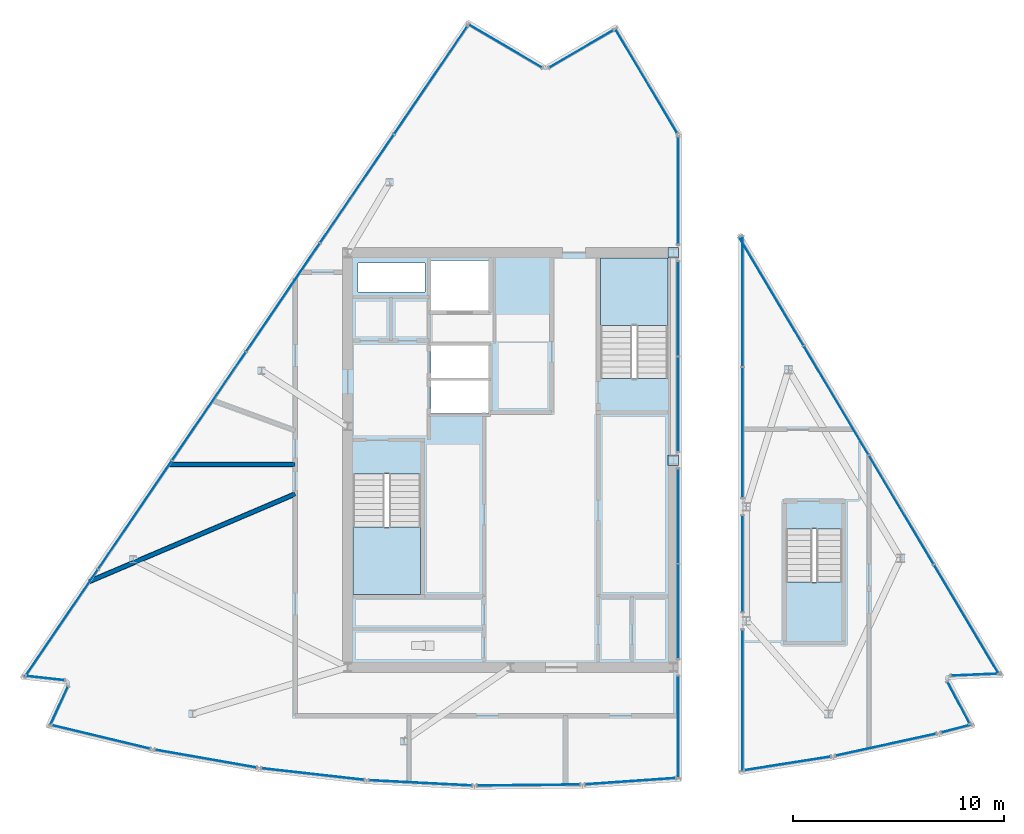
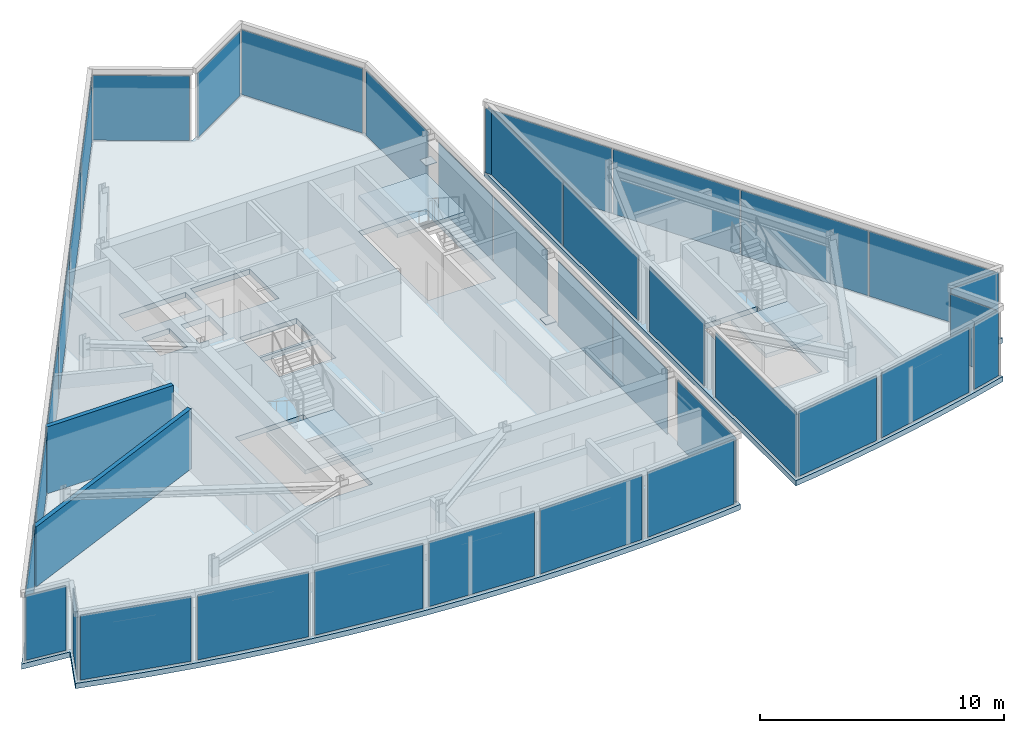
# One storey, part 8 of 15: 38 plates, 5 slabs, 2 walls, 28 elements without a shape of their own.
"""IFC4 building model written with IfcOpenShell, lengths in metres."""

from ifc_helpers import new_model, si_unit, direction, frame, frame_2d, origin, origin_2d, place, context, subcontext, project, spatial, polyline, rectangle, outline, extrude, material, layer, layer_set, type_object, element, aggregate, save


model = new_model("IFC4")

# Units and contexts
model_context = context("Model", 3, precision=1e-05, world=origin(), true_north=direction((0.0, 1.0)))
body_context = subcontext(model_context, "Body", "Model", "MODEL_VIEW")
ifc_project = project(units=[si_unit("LENGTHUNIT", "METRE"), si_unit("AREAUNIT", "SQUARE_METRE"), si_unit("VOLUMEUNIT", "CUBIC_METRE"), si_unit("PLANEANGLEUNIT", "RADIAN"), si_unit("MASSUNIT", "GRAM", prefix="KILO")], contexts=[model_context])

# Site, building, storey
site_placement = place(None, origin())
site = spatial("IfcSite", under=ifc_project, at=site_placement, CompositionType="ELEMENT")
building_placement = place(site_placement, origin())
building = spatial("IfcBuilding", under=site, at=building_placement, Name="Savorim Split Tower", CompositionType="ELEMENT")
storey_placement = place(building_placement, frame((0.0, 0.0, 304.800048828125)))
storey = spatial("IfcBuildingStorey", under=building, at=storey_placement, Name="Crown L81 Plant", CompositionType="ELEMENT", Elevation=304.800048828125)

# Curtain wall, plate
ifc_material_1 = material(Name="Dark Ceramic-Fritted Insulated Glass", Category="glass")
curtain_wall_type = type_object("IfcCurtainWallType", Name="CW-CROWN-CREST", PredefinedType="NOTDEFINED", material=ifc_material_1)
curtain_wall_1_placement = place(storey_placement, origin())
curtain_wall_1 = element("IfcCurtainWall", 1, at=curtain_wall_1_placement, inside=storey, type_object=curtain_wall_type, Name="Crown L81 Plant Curtain Wall CW-Crown-L81-Plant-W1AS1", PredefinedType="NOTDEFINED")
ifc_layer_1 = layer(ifc_material_1, 0.02587890625)
ifc_layer_set_1 = layer_set([ifc_layer_1], Name="CWP-FRITB-26")
plate_type_1 = type_object("IfcPlateType", Name="CWP-FRITB-26", PredefinedType="CURTAIN_PANEL", material=ifc_layer_set_1)
plate_1_placement = place(storey_placement, frame((7.929931640625, -12.2109375, 0.0498046875), z_axis=(0.0, 0.0, 1.0), x_axis=(0.0, 1.0, 0.0)))
plate_1 = element("IfcPlate", 2, at=plate_1_placement, type_object=plate_type_1, Name="CW-07 panel 1.1", PredefinedType="CURTAIN_PANEL", context=body_context, shape_type="SweptSolid", body=[
    extrude(rectangle(XDim=4.769775390625, YDim=0.02587890625, at=origin_2d()), origin(), (0.0, 0.0, 1.0), 3.239990234375),
])
aggregate(curtain_wall_1, [plate_1])

# Curtain wall, plates
curtain_wall_2_placement = place(storey_placement, origin())
curtain_wall_2 = element("IfcCurtainWall", 3, at=curtain_wall_2_placement, inside=storey, type_object=curtain_wall_type, Name="Crown L81 Plant Curtain Wall CW-Crown-L81-Plant-W1AS2", PredefinedType="NOTDEFINED")
plate_2_placement = place(storey_placement, frame((7.929931640625, -6.751953125, 0.0498046875), z_axis=(0.0, 0.0, 1.0), x_axis=(0.0, 1.0, 0.0)))
plate_2 = element("IfcPlate", 4, at=plate_2_placement, type_object=plate_type_1, Name="CW-07 panel 1.1", PredefinedType="CURTAIN_PANEL", context=body_context, shape_type="SweptSolid", body=[
    extrude(rectangle(XDim=4.444091796875, YDim=0.02587890625, at=origin_2d()), origin(), (0.0, 0.0, 1.0), 3.239990234375),
])
plate_3_placement = place(storey_placement, frame((7.929931640625, -2.248046875, 0.0498046875), z_axis=(0.0, 0.0, 1.0), x_axis=(0.0, 1.0, 0.0)))
plate_3 = element("IfcPlate", 5, at=plate_3_placement, type_object=plate_type_1, Name="CW-07 panel 2.1", PredefinedType="CURTAIN_PANEL", context=body_context, shape_type="SweptSolid", body=[
    extrude(rectangle(XDim=4.444091796875, YDim=0.02587890625, at=origin_2d()), origin(), (0.0, 0.0, 1.0), 3.239990234375),
])
aggregate(curtain_wall_2, [plate_2, plate_3])

curtain_wall_3_placement = place(storey_placement, origin())
curtain_wall_3 = element("IfcCurtainWall", 6, at=curtain_wall_3_placement, inside=storey, type_object=curtain_wall_type, Name="Crown L81 Plant Curtain Wall CW-Crown-L81-Plant-W1AS3", PredefinedType="NOTDEFINED")
plate_4_placement = place(storey_placement, frame((7.929931640625, 3.048095703125, 0.0498046875), z_axis=(0.0, 0.0, 1.0), x_axis=(0.0, 1.0, 0.0)))
plate_4 = element("IfcPlate", 7, at=plate_4_placement, type_object=plate_type_1, Name="CW-07 panel 1.1", PredefinedType="CURTAIN_PANEL", context=body_context, shape_type="SweptSolid", body=[
    extrude(rectangle(XDim=4.444091796875, YDim=0.02587890625, at=origin_2d()), origin(), (0.0, 0.0, 1.0), 3.239990234375),
])
plate_5_placement = place(storey_placement, frame((7.929931640625, 7.552001953125, 0.0498046875), z_axis=(0.0, 0.0, 1.0), x_axis=(0.0, 1.0, 0.0)))
plate_5 = element("IfcPlate", 8, at=plate_5_placement, type_object=plate_type_1, Name="CW-07 panel 2.1", PredefinedType="CURTAIN_PANEL", context=body_context, shape_type="SweptSolid", body=[
    extrude(rectangle(XDim=4.444091796875, YDim=0.02587890625, at=origin_2d()), origin(), (0.0, 0.0, 1.0), 3.239990234375),
])
aggregate(curtain_wall_3, [plate_4, plate_5])

# Curtain wall, plate
curtain_wall_4_placement = place(storey_placement, origin())
curtain_wall_4 = element("IfcCurtainWall", 9, at=curtain_wall_4_placement, inside=storey, type_object=curtain_wall_type, Name="Crown L81 Plant Curtain Wall CW-Crown-L81-Plant-W1AS4", PredefinedType="NOTDEFINED")
plate_6_placement = place(storey_placement, frame((7.929931640625, 13.149169921875, 0.0498046875), z_axis=(0.0, 0.0, 1.0), x_axis=(0.0, 1.0, 0.0)))
plate_6 = element("IfcPlate", 10, at=plate_6_placement, type_object=plate_type_1, Name="CW-07 panel 1.1", PredefinedType="CURTAIN_PANEL", context=body_context, shape_type="SweptSolid", body=[
    extrude(rectangle(XDim=5.04638671875, YDim=0.02587890625, at=origin_2d()), origin(), (0.0, 0.0, 1.0), 3.239990234375),
])
aggregate(curtain_wall_4, [plate_6])

curtain_wall_5_placement = place(storey_placement, origin())
curtain_wall_5 = element("IfcCurtainWall", 11, at=curtain_wall_5_placement, inside=storey, type_object=curtain_wall_type, Name="Crown L81 Plant Curtain Wall CW-Crown-L81-Plant-W2A", PredefinedType="NOTDEFINED")
plate_7_placement = place(storey_placement, frame((6.420654296875, 18.317626953125, 0.0498046875), z_axis=(0.0, 0.0, 1.0), x_axis=(-0.511101159712, 0.859520566677, 0.0)))
plate_7 = element("IfcPlate", 12, at=plate_7_placement, type_object=plate_type_1, Name="CW-07 panel 1.1", PredefinedType="CURTAIN_PANEL", context=body_context, shape_type="SweptSolid", body=[
    extrude(rectangle(XDim=5.69189453125, YDim=0.02587890625, at=origin_2d()), origin(), (0.0, 0.0, 1.0), 3.239990234375),
])
aggregate(curtain_wall_5, [plate_7])

curtain_wall_6_placement = place(storey_placement, origin())
curtain_wall_6 = element("IfcCurtainWall", 13, at=curtain_wall_6_placement, inside=storey, type_object=curtain_wall_type, Name="Crown L81 Plant Curtain Wall CW-Crown-L81-Plant-W3A", PredefinedType="NOTDEFINED")
plate_8_placement = place(storey_placement, frame((3.34375, 19.842529296875, 0.0498046875), z_axis=(0.0, 0.0, 1.0), x_axis=(-0.863989475083, -0.503509867774, 0.0)))
plate_8 = element("IfcPlate", 14, at=plate_8_placement, type_object=plate_type_1, Name="CW-07 panel 1.1", PredefinedType="CURTAIN_PANEL", context=body_context, shape_type="SweptSolid", body=[
    extrude(rectangle(XDim=3.478515625, YDim=0.02587890625, at=origin_2d()), origin(), (0.0, 0.0, 1.0), 3.239990234375),
])
aggregate(curtain_wall_6, [plate_8])

curtain_wall_7_placement = place(storey_placement, origin())
curtain_wall_7 = element("IfcCurtainWall", 15, at=curtain_wall_7_placement, inside=storey, type_object=curtain_wall_type, Name="Crown L81 Plant Curtain Wall CW-Crown-L81-Plant-W4A", PredefinedType="NOTDEFINED")
plate_9_placement = place(storey_placement, frame((-0.23779296875, 19.97607421875, 0.0498046875), z_axis=(0.0, 0.0, 1.0), x_axis=(-0.862126599105, 0.50669293178, 0.0)))
plate_9 = element("IfcPlate", 16, at=plate_9_placement, type_object=plate_type_1, Name="CW-07 panel 1.1", PredefinedType="CURTAIN_PANEL", context=body_context, shape_type="SweptSolid", body=[
    extrude(rectangle(XDim=3.98095703125, YDim=0.02587890625, at=origin_2d()), origin(), (0.0, 0.0, 1.0), 3.239990234375),
])
aggregate(curtain_wall_7, [plate_9])

# Curtain wall, plates
curtain_wall_8_placement = place(storey_placement, origin())
curtain_wall_8 = element("IfcCurtainWall", 17, at=curtain_wall_8_placement, inside=storey, type_object=curtain_wall_type, Name="Crown L81 Plant Curtain Wall CW-Crown-L81-Plant-W5A", PredefinedType="NOTDEFINED")
plate_10_placement = place(storey_placement, frame((-3.775146484375, 18.3564453125, 0.0498046875), z_axis=(0.0, 0.0, 1.0), x_axis=(-0.562467100457, -0.826819666495, 0.0)))
plate_10 = element("IfcPlate", 18, at=plate_10_placement, type_object=plate_type_1, Name="CW-07 panel 1.1", PredefinedType="CURTAIN_PANEL", context=body_context, shape_type="SweptSolid", body=[
    extrude(rectangle(XDim=6.1259765625, YDim=0.02587890625, at=origin_2d()), origin(), (0.0, 0.0, 1.0), 3.239990234375),
])
plate_11_placement = place(storey_placement, frame((-7.26318359375, 13.229248046875, 0.0498046875), z_axis=(0.0, 0.0, 1.0), x_axis=(-0.562467100457, -0.826819666495, 0.0)))
plate_11 = element("IfcPlate", 19, at=plate_11_placement, type_object=plate_type_1, Name="CW-07 panel 2.1", PredefinedType="CURTAIN_PANEL", context=body_context, shape_type="SweptSolid", body=[
    extrude(rectangle(XDim=6.156005859375, YDim=0.02587890625, at=origin_2d()), origin(), (0.0, 0.0, 1.0), 3.239990234375),
])
plate_12_placement = place(storey_placement, frame((-10.759521484375, 8.08984375, 0.0498046875), z_axis=(0.0, 0.0, 1.0), x_axis=(-0.562467100457, -0.826819666495, 0.0)))
plate_12 = element("IfcPlate", 20, at=plate_12_placement, type_object=plate_type_1, Name="CW-07 panel 3.1", PredefinedType="CURTAIN_PANEL", context=body_context, shape_type="SweptSolid", body=[
    extrude(rectangle(XDim=6.156005859375, YDim=0.02587890625, at=origin_2d()), origin(), (0.0, 0.0, 1.0), 3.239990234375),
])
plate_13_placement = place(storey_placement, frame((-14.255859375, 2.9501953125, 0.0498046875), z_axis=(0.0, 0.0, 1.0), x_axis=(-0.562467100457, -0.826819666495, 0.0)))
plate_13 = element("IfcPlate", 21, at=plate_13_placement, type_object=plate_type_1, Name="CW-07 panel 4.1", PredefinedType="CURTAIN_PANEL", context=body_context, shape_type="SweptSolid", body=[
    extrude(rectangle(XDim=6.156005859375, YDim=0.02587890625, at=origin_2d()), origin(), (0.0, 0.0, 1.0), 3.239990234375),
])
plate_14_placement = place(storey_placement, frame((-17.752197265625, -2.189453125, 0.0498046875), z_axis=(0.0, 0.0, 1.0), x_axis=(-0.562467100457, -0.826819666495, 0.0)))
plate_14 = element("IfcPlate", 22, at=plate_14_placement, type_object=plate_type_1, Name="CW-07 panel 5.1", PredefinedType="CURTAIN_PANEL", context=body_context, shape_type="SweptSolid", body=[
    extrude(rectangle(XDim=6.156005859375, YDim=0.02587890625, at=origin_2d()), origin(), (0.0, 0.0, 1.0), 3.239990234375),
])
plate_15_placement = place(storey_placement, frame((-21.239990234375, -7.31640625, 0.0498046875), z_axis=(0.0, 0.0, 1.0), x_axis=(-0.562467100457, -0.826819666495, 0.0)))
plate_15 = element("IfcPlate", 23, at=plate_15_placement, type_object=plate_type_1, Name="CW-07 panel 6.1", PredefinedType="CURTAIN_PANEL", context=body_context, shape_type="SweptSolid", body=[
    extrude(rectangle(XDim=6.1259765625, YDim=0.02587890625, at=origin_2d()), origin(), (0.0, 0.0, 1.0), 3.239990234375),
])
aggregate(curtain_wall_8, [plate_10, plate_11, plate_12, plate_13, plate_14, plate_15])

# Curtain wall, plate
curtain_wall_9_placement = place(storey_placement, origin())
curtain_wall_9 = element("IfcCurtainWall", 24, at=curtain_wall_9_placement, inside=storey, type_object=curtain_wall_type, Name="Crown L81 Plant Curtain Wall CW-Crown-L81-Plant-W6A", PredefinedType="NOTDEFINED")
plate_16_placement = place(storey_placement, frame((-21.994873046875, -9.904541015625, 0.0498046875), z_axis=(0.0, 0.0, 1.0), x_axis=(0.993822263981, -0.110983366393, 0.0)))
plate_16 = element("IfcPlate", 25, at=plate_16_placement, type_object=plate_type_1, Name="CW-07 panel 1.1", PredefinedType="CURTAIN_PANEL", context=body_context, shape_type="SweptSolid", body=[
    extrude(rectangle(XDim=1.789306640625, YDim=0.02587890625, at=origin_2d()), origin(), (0.0, 0.0, 1.0), 3.239990234375),
])
aggregate(curtain_wall_9, [plate_16])

curtain_wall_10_placement = place(storey_placement, origin())
curtain_wall_10 = element("IfcCurtainWall", 26, at=curtain_wall_10_placement, inside=storey, type_object=curtain_wall_type, Name="Crown L81 Plant Curtain Wall CW-Crown-L81-Plant-W7A", PredefinedType="NOTDEFINED")
plate_17_placement = place(storey_placement, frame((-21.34326171875, -11.217041015625, 0.0498046875), z_axis=(0.0, 0.0, 1.0), x_axis=(-0.417492744415, -0.908680256395, 0.0)))
plate_17 = element("IfcPlate", 27, at=plate_17_placement, type_object=plate_type_1, Name="CW-07 panel 1.1", PredefinedType="CURTAIN_PANEL", context=body_context, shape_type="SweptSolid", body=[
    extrude(rectangle(XDim=1.983154296875, YDim=0.02587890625, at=origin_2d()), origin(), (0.0, 0.0, 1.0), 3.239990234375),
])
aggregate(curtain_wall_10, [plate_17])

curtain_wall_11_placement = place(storey_placement, origin())
curtain_wall_11 = element("IfcCurtainWall", 28, at=curtain_wall_11_placement, inside=storey, type_object=curtain_wall_type, Name="Crown L81 Plant Curtain Wall CW-Crown-L81-Plant-W8A", PredefinedType="NOTDEFINED")
plate_18_placement = place(storey_placement, frame((-19.35693359375, -12.6875, 0.0498046875), z_axis=(0.0, 0.0, 1.0), x_axis=(0.972435155463, -0.233173472806, 0.0)))
plate_18 = element("IfcPlate", 29, at=plate_18_placement, type_object=plate_type_1, Name="CW-07 panel 1.1", PredefinedType="CURTAIN_PANEL", context=body_context, shape_type="SweptSolid", body=[
    extrude(rectangle(XDim=4.73388671875, YDim=0.02587890625, at=origin_2d()), origin(), (0.0, 0.0, 1.0), 3.239990234375),
])
aggregate(curtain_wall_11, [plate_18])

curtain_wall_12_placement = place(storey_placement, origin())
curtain_wall_12 = element("IfcCurtainWall", 30, at=curtain_wall_12_placement, inside=storey, type_object=curtain_wall_type, Name="Crown L81 Plant Curtain Wall CW-Crown-L81-Plant-W9A", PredefinedType="NOTDEFINED")
plate_19_placement = place(storey_placement, frame((-14.4052734375, -13.713623046875, 0.0498046875), z_axis=(0.0, 0.0, 1.0), x_axis=(0.984910986267, -0.17306169169, 0.0)))
plate_19 = element("IfcPlate", 31, at=plate_19_placement, type_object=plate_type_1, Name="CW-07 panel 1.1", PredefinedType="CURTAIN_PANEL", context=body_context, shape_type="SweptSolid", body=[
    extrude(rectangle(XDim=4.8388671875, YDim=0.02587890625, at=origin_2d()), origin(), (0.0, 0.0, 1.0), 3.239990234375),
])
aggregate(curtain_wall_12, [plate_19])

curtain_wall_13_placement = place(storey_placement, origin())
curtain_wall_13 = element("IfcCurtainWall", 32, at=curtain_wall_13_placement, inside=storey, type_object=curtain_wall_type, Name="Crown L81 Plant Curtain Wall CW-Crown-L81-Plant-W10A", PredefinedType="NOTDEFINED")
plate_20_placement = place(storey_placement, frame((-9.348388671875, -14.44287109375, 0.0498046875), z_axis=(0.0, 0.0, 1.0), x_axis=(0.993671921746, -0.11232146693, 0.0)))
plate_20 = element("IfcPlate", 33, at=plate_20_placement, type_object=plate_type_1, Name="CW-07 panel 1.1", PredefinedType="CURTAIN_PANEL", context=body_context, shape_type="SweptSolid", body=[
    extrude(rectangle(XDim=4.8388671875, YDim=0.02587890625, at=origin_2d()), origin(), (0.0, 0.0, 1.0), 3.239990234375),
])
aggregate(curtain_wall_13, [plate_20])

curtain_wall_14_placement = place(storey_placement, origin())
curtain_wall_14 = element("IfcCurtainWall", 34, at=curtain_wall_14_placement, inside=storey, type_object=curtain_wall_type, Name="Crown L81 Plant Curtain Wall CW-Crown-L81-Plant-W11A", PredefinedType="NOTDEFINED")
plate_21_placement = place(storey_placement, frame((-4.256591796875, -14.860595703125, 0.0498046875), z_axis=(0.0, 0.0, 1.0), x_axis=(0.998691469078, -0.051140488768, 0.0)))
plate_21 = element("IfcPlate", 35, at=plate_21_placement, type_object=plate_type_1, Name="CW-07 panel 1.1", PredefinedType="CURTAIN_PANEL", context=body_context, shape_type="SweptSolid", body=[
    extrude(rectangle(XDim=4.8388671875, YDim=0.02587890625, at=origin_2d()), origin(), (0.0, 0.0, 1.0), 3.239990234375),
])
aggregate(curtain_wall_14, [plate_21])

curtain_wall_15_placement = place(storey_placement, origin())
curtain_wall_15 = element("IfcCurtainWall", 36, at=curtain_wall_15_placement, inside=storey, type_object=curtain_wall_type, Name="Crown L81 Plant Curtain Wall CW-Crown-L81-Plant-W12A", PredefinedType="NOTDEFINED")
plate_22_placement = place(storey_placement, frame((0.8515625, -14.965087890625, 0.0498046875), z_axis=(0.0, 0.0, 1.0), x_axis=(0.999947734368, 0.010223919602, 0.0)))
plate_22 = element("IfcPlate", 37, at=plate_22_placement, type_object=plate_type_1, Name="CW-07 panel 1.1", PredefinedType="CURTAIN_PANEL", context=body_context, shape_type="SweptSolid", body=[
    extrude(rectangle(XDim=4.8388671875, YDim=0.02587890625, at=origin_2d()), origin(), (0.0, 0.0, 1.0), 3.239990234375),
])
aggregate(curtain_wall_15, [plate_22])

curtain_wall_16_placement = place(storey_placement, origin())
curtain_wall_16 = element("IfcCurtainWall", 38, at=curtain_wall_16_placement, inside=storey, type_object=curtain_wall_type, Name="Crown L81 Plant Curtain Wall CW-Crown-L81-Plant-W13A", PredefinedType="NOTDEFINED")
plate_23_placement = place(storey_placement, frame((5.67041015625, -14.78125, 0.0498046875), z_axis=(0.0, 0.0, 1.0), x_axis=(0.997581872722, 0.069501131045, 0.0)))
plate_23 = element("IfcPlate", 39, at=plate_23_placement, type_object=plate_type_1, Name="CW-07 panel 1.1", PredefinedType="CURTAIN_PANEL", context=body_context, shape_type="SweptSolid", body=[
    extrude(rectangle(XDim=4.26416015625, YDim=0.02587890625, at=origin_2d()), origin(), (0.0, 0.0, 1.0), 3.239990234375),
])
aggregate(curtain_wall_16, [plate_23])

# Curtain wall, plates
curtain_wall_17_placement = place(storey_placement, origin())
curtain_wall_17 = element("IfcCurtainWall", 40, at=curtain_wall_17_placement, inside=storey, type_object=curtain_wall_type, Name="Crown L81 Plant Curtain Wall CW-Crown-L81-Plant-E1AS1", PredefinedType="NOTDEFINED")
plate_24_placement = place(storey_placement, frame((10.969970703125, 7.897705078125, 0.0498046875), z_axis=(0.0, 0.0, 1.0), x_axis=(0.0, -1.0, 0.0)))
plate_24 = element("IfcPlate", 41, at=plate_24_placement, type_object=plate_type_1, Name="CW-07 panel 1.1", PredefinedType="CURTAIN_PANEL", context=body_context, shape_type="SweptSolid", body=[
    extrude(rectangle(XDim=6.1318359375, YDim=0.02587890625, at=origin_2d()), origin(), (0.0, 0.0, 1.0), 3.239990234375),
])
plate_25_placement = place(storey_placement, frame((10.969970703125, 1.705810546875, 0.0498046875), z_axis=(0.0, 0.0, 1.0), x_axis=(0.0, -1.0, 0.0)))
plate_25 = element("IfcPlate", 42, at=plate_25_placement, type_object=plate_type_1, Name="CW-07 panel 2.1", PredefinedType="CURTAIN_PANEL", context=body_context, shape_type="SweptSolid", body=[
    extrude(rectangle(XDim=6.1318359375, YDim=0.02587890625, at=origin_2d()), origin(), (0.0, 0.0, 1.0), 3.239990234375),
])
aggregate(curtain_wall_17, [plate_24, plate_25])

# Curtain wall, plate
curtain_wall_18_placement = place(storey_placement, origin())
curtain_wall_18 = element("IfcCurtainWall", 43, at=curtain_wall_18_placement, inside=storey, type_object=curtain_wall_type, Name="Crown L81 Plant Curtain Wall CW-Crown-L81-Plant-E1AS2", PredefinedType="NOTDEFINED")
plate_26_placement = place(storey_placement, frame((10.969970703125, -4.5, 0.0498046875), z_axis=(0.0, 0.0, 1.0), x_axis=(0.0, -1.0, 0.0)))
plate_26 = element("IfcPlate", 44, at=plate_26_placement, type_object=plate_type_1, Name="CW-07 panel 1.1", PredefinedType="CURTAIN_PANEL", context=body_context, shape_type="SweptSolid", body=[
    extrude(rectangle(XDim=4.52001953125, YDim=0.02587890625, at=origin_2d()), origin(), (0.0, 0.0, 1.0), 3.239990234375),
])
aggregate(curtain_wall_18, [plate_26])

curtain_wall_19_placement = place(storey_placement, origin())
curtain_wall_19 = element("IfcCurtainWall", 45, at=curtain_wall_19_placement, inside=storey, type_object=curtain_wall_type, Name="Crown L81 Plant Curtain Wall CW-Crown-L81-Plant-E1AS3", PredefinedType="NOTDEFINED")
plate_27_placement = place(storey_placement, frame((10.969970703125, -10.9580078125, 0.0498046875), z_axis=(0.0, 0.0, 1.0), x_axis=(0.0, -1.0, 0.0)))
plate_27 = element("IfcPlate", 46, at=plate_27_placement, type_object=plate_type_1, Name="CW-07 panel 1.1", PredefinedType="CURTAIN_PANEL", context=body_context, shape_type="SweptSolid", body=[
    extrude(rectangle(XDim=6.635986328125, YDim=0.02587890625, at=origin_2d()), origin(), (0.0, 0.0, 1.0), 3.239990234375),
])
aggregate(curtain_wall_19, [plate_27])

curtain_wall_20_placement = place(storey_placement, origin())
curtain_wall_20 = element("IfcCurtainWall", 47, at=curtain_wall_20_placement, inside=storey, type_object=curtain_wall_type, Name="Crown L81 Plant Curtain Wall CW-Crown-L81-Plant-E2A", PredefinedType="NOTDEFINED")
plate_28_placement = place(storey_placement, frame((13.094482421875, -13.9404296875, 0.0498046875), z_axis=(0.0, 0.0, 1.0), x_axis=(0.987791052808, 0.155784582013, 0.0)))
plate_28 = element("IfcPlate", 48, at=plate_28_placement, type_object=plate_type_1, Name="CW-07 panel 1.1", PredefinedType="CURTAIN_PANEL", context=body_context, shape_type="SweptSolid", body=[
    extrude(rectangle(XDim=4.09228515625, YDim=0.02587890625, at=origin_2d()), origin(), (0.0, 0.0, 1.0), 3.239990234375),
])
aggregate(curtain_wall_20, [plate_28])

curtain_wall_21_placement = place(storey_placement, origin())
curtain_wall_21 = element("IfcCurtainWall", 49, at=curtain_wall_21_placement, inside=storey, type_object=curtain_wall_type, Name="Crown L81 Plant Curtain Wall CW-Crown-L81-Plant-E3A", PredefinedType="NOTDEFINED")
plate_29_placement = place(storey_placement, frame((17.74755859375, -13.055419921875, 0.0498046875), z_axis=(0.0, 0.0, 1.0), x_axis=(0.977006979242, 0.213207322841, 0.0)))
plate_29 = element("IfcPlate", 50, at=plate_29_placement, type_object=plate_type_1, Name="CW-07 panel 1.1", PredefinedType="CURTAIN_PANEL", context=body_context, shape_type="SweptSolid", body=[
    extrude(rectangle(XDim=4.839111328125, YDim=0.02587890625, at=origin_2d()), origin(), (0.0, 0.0, 1.0), 3.239990234375),
])
aggregate(curtain_wall_21, [plate_29])

curtain_wall_22_placement = place(storey_placement, origin())
curtain_wall_22 = element("IfcCurtainWall", 51, at=curtain_wall_22_placement, inside=storey, type_object=curtain_wall_type, Name="Crown L81 Plant Curtain Wall CW-Crown-L81-Plant-E4A", PredefinedType="NOTDEFINED")
plate_30_placement = place(storey_placement, frame((21.06884765625, -12.294921875, 0.0498046875), z_axis=(0.0, 0.0, 1.0), x_axis=(0.967445384486, 0.253079884693, 0.0)))
plate_30 = element("IfcPlate", 52, at=plate_30_placement, type_object=plate_type_1, Name="CW-07 panel 1.1", PredefinedType="CURTAIN_PANEL", context=body_context, shape_type="SweptSolid", body=[
    extrude(rectangle(XDim=1.426513671875, YDim=0.02587890625, at=origin_2d()), origin(), (0.0, 0.0, 1.0), 3.239990234375),
])
aggregate(curtain_wall_22, [plate_30])

curtain_wall_23_placement = place(storey_placement, origin())
curtain_wall_23 = element("IfcCurtainWall", 53, at=curtain_wall_23_placement, inside=storey, type_object=curtain_wall_type, Name="Crown L81 Plant Curtain Wall CW-Crown-L81-Plant-E5A", PredefinedType="NOTDEFINED")
plate_31_placement = place(storey_placement, frame((21.182861328125, -11.066162109375, 0.0498046875), z_axis=(0.0, 0.0, 1.0), x_axis=(-0.472807098847, 0.881165958988, 0.0)))
plate_31 = element("IfcPlate", 54, at=plate_31_placement, type_object=plate_type_1, Name="CW-07 panel 1.1", PredefinedType="CURTAIN_PANEL", context=body_context, shape_type="SweptSolid", body=[
    extrude(rectangle(XDim=2.201171875, YDim=0.02587890625, at=origin_2d()), origin(), (0.0, 0.0, 1.0), 3.239990234375),
])
aggregate(curtain_wall_23, [plate_31])

curtain_wall_24_placement = place(storey_placement, origin())
curtain_wall_24 = element("IfcCurtainWall", 55, at=curtain_wall_24_placement, inside=storey, type_object=curtain_wall_type, Name="Crown L81 Plant Curtain Wall CW-Crown-L81-Plant-E6A", PredefinedType="NOTDEFINED")
plate_32_placement = place(storey_placement, frame((21.98779296875, -9.741455078125, 0.0498046875), z_axis=(0.0, 0.0, 1.0), x_axis=(0.99909505756, 0.042533116038, 0.0)))
plate_32 = element("IfcPlate", 56, at=plate_32_placement, type_object=plate_type_1, Name="CW-07 panel 1.1", PredefinedType="CURTAIN_PANEL", context=body_context, shape_type="SweptSolid", body=[
    extrude(rectangle(XDim=2.303955078125, YDim=0.02587890625, at=origin_2d()), origin(), (0.0, 0.0, 1.0), 3.239990234375),
])
aggregate(curtain_wall_24, [plate_32])

# Curtain wall, plates
curtain_wall_25_placement = place(storey_placement, origin())
curtain_wall_25 = element("IfcCurtainWall", 57, at=curtain_wall_25_placement, inside=storey, type_object=curtain_wall_type, Name="Crown L81 Plant Curtain Wall CW-Crown-L81-Plant-E7A", PredefinedType="NOTDEFINED")
plate_33_placement = place(storey_placement, frame((21.541015625, -7.110595703125, 0.0498046875), z_axis=(0.0, 0.0, 1.0), x_axis=(-0.511094312728, 0.859524638098, 0.0)))
plate_33 = element("IfcPlate", 58, at=plate_33_placement, type_object=plate_type_1, Name="CW-07 panel 1.1", PredefinedType="CURTAIN_PANEL", context=body_context, shape_type="SweptSolid", body=[
    extrude(rectangle(XDim=5.925537109375, YDim=0.02587890625, at=origin_2d()), origin(), (0.0, 0.0, 1.0), 3.239990234375),
])
plate_34_placement = place(storey_placement, frame((18.47412109375, -1.952880859375, 0.0498046875), z_axis=(0.0, 0.0, 1.0), x_axis=(-0.511094312728, 0.859524638098, 0.0)))
plate_34 = element("IfcPlate", 59, at=plate_34_placement, type_object=plate_type_1, Name="CW-07 panel 2.1", PredefinedType="CURTAIN_PANEL", context=body_context, shape_type="SweptSolid", body=[
    extrude(rectangle(XDim=5.95556640625, YDim=0.02587890625, at=origin_2d()), origin(), (0.0, 0.0, 1.0), 3.239990234375),
])
plate_35_placement = place(storey_placement, frame((15.3994140625, 3.217529296875, 0.0498046875), z_axis=(0.0, 0.0, 1.0), x_axis=(-0.511094312728, 0.859524638098, 0.0)))
plate_35 = element("IfcPlate", 60, at=plate_35_placement, type_object=plate_type_1, Name="CW-07 panel 3.1", PredefinedType="CURTAIN_PANEL", context=body_context, shape_type="SweptSolid", body=[
    extrude(rectangle(XDim=5.95556640625, YDim=0.02587890625, at=origin_2d()), origin(), (0.0, 0.0, 1.0), 3.239990234375),
])
plate_36_placement = place(storey_placement, frame((12.33251953125, 8.375244140625, 0.0498046875), z_axis=(0.0, 0.0, 1.0), x_axis=(-0.511094312728, 0.859524638098, 0.0)))
plate_36 = element("IfcPlate", 61, at=plate_36_placement, type_object=plate_type_1, Name="CW-07 panel 4.1", PredefinedType="CURTAIN_PANEL", context=body_context, shape_type="SweptSolid", body=[
    extrude(rectangle(XDim=5.925537109375, YDim=0.02587890625, at=origin_2d()), origin(), (0.0, 0.0, 1.0), 3.239990234375),
])
aggregate(curtain_wall_25, [plate_33, plate_34, plate_35, plate_36])

# Plates
ifc_material_2 = material(Name="Steel S460", Category="steel")
ifc_layer_2 = layer(ifc_material_2, 0.02490234375)
ifc_layer_set_2 = layer_set([ifc_layer_2], Name="PLT-NODE-CN1")
plate_type_2 = type_object("IfcPlateType", Name="PLT-NODE-CN1", PredefinedType="SHEET", material=ifc_layer_set_2)
for number, where, z_axis, x_axis, name in (
    (62, (7.699951171875, 0.39990234375, 0.137451171875), (0.0, 0.0, 1.0), (1.0, 0.0, 0.0), "Crown L81 Plant Crown Spine Base Gusset Plate CN1"),
    (63, (7.699951171875, 10.199951171875, 2.137451171875), (0.0, 0.0, 1.0), (1.0, 0.0, 0.0), "Crown L81 Plant Crown Spine Top Gusset Plate CN2"),
):
    element("IfcPlate", number, at=place(storey_placement, frame(where, z_axis=z_axis, x_axis=x_axis)), inside=storey, type_object=plate_type_2, Name=name, PredefinedType="SHEET", context=body_context, shape_type="SweptSolid", body=[
        extrude(rectangle(XDim=0.5, YDim=0.5, at=origin_2d()), origin(), (0.0, 0.0, 1.0), 0.02490234375),
    ])

# Slabs
ifc_material_3 = material(Name="Concrete C50/60", Category="concrete")
ifc_layer_3 = layer(ifc_material_3, 0.260009765625)
ifc_layer_set_3 = layer_set([ifc_layer_3], Name="SLB-CRN-260")
slab_type_1 = type_object("IfcSlabType", Name="SLB-CRN-260", PredefinedType="FLOOR", material=ifc_layer_set_3)
slab_1_placement = place(storey_placement, frame((0.0, 0.0, -0.260009765625)))
element("IfcSlab", 64, at=slab_1_placement, inside=storey, type_object=slab_type_1, Name="Crown L81 Plant West Split Crown Floor Slab", PredefinedType="FLOOR", context=body_context, shape_type="SweptSolid", body=[
    extrude(outline(polyline([(8.050048828125, -14.73583984375), (8.050048828125, 15.8125), (4.997802734375, 20.945556640625), (1.659912109375, 19.0), (-2.013671875, 21.1591796875), (-23.140869140625, -9.897216796875), (-20.97998046875, -10.138671875), (-21.9248046875, -12.1953125), (-20.273681640625, -12.626953125), (-18.6142578125, -13.02490234375), (-16.947021484375, -13.388916015625), (-15.2724609375, -13.718505859375), (-13.591796875, -14.013916015625), (-11.9052734375, -14.274658203125), (-10.2138671875, -14.5009765625), (-8.51806640625, -14.692626953125), (-6.818603515625, -14.849609375), (-5.116455078125, -14.9716796875), (-3.412109375, -15.05908203125), (-1.70654296875, -15.111328125), (0.0, -15.12890625), (1.70654296875, -15.111328125), (3.412109375, -15.05908203125), (5.116455078125, -14.9716796875), (6.818603515625, -14.849609375), (8.050048828125, -14.73583984375)]), holes=[polyline([(-7.449951171875, -0.25390625), (-7.449951171875, -5.949951171875), (-4.25, -5.949951171875), (-4.25, -0.25390625), (-7.449951171875, -0.25390625)]), polyline([(7.449951171875, 4.25390625), (7.449951171875, 9.949951171875), (4.25, 9.949951171875), (4.25, 4.25390625), (7.449951171875, 4.25390625)]), polyline([(-3.75, 2.60009765625), (-1.050048828125, 2.60009765625), (-1.050048828125, 4.159912109375), (-3.75, 4.159912109375), (-3.75, 2.60009765625)]), polyline([(-3.75, 4.280029296875), (-1.050048828125, 4.280029296875), (-1.050048828125, 5.840087890625), (-3.75, 5.840087890625), (-3.75, 4.280029296875)]), polyline([(-3.75, 7.449951171875), (-0.949951171875, 7.449951171875), (-0.949951171875, 9.85009765625), (-3.75, 9.85009765625), (-3.75, 7.449951171875)]), polyline([(-7.219970703125, 6.320068359375), (-5.919921875, 6.320068359375), (-5.919921875, 7.820068359375), (-7.219970703125, 7.820068359375), (-7.219970703125, 6.320068359375)]), polyline([(-5.3798828125, 6.320068359375), (-4.050048828125, 6.320068359375), (-4.050048828125, 7.820068359375), (-5.3798828125, 7.820068359375), (-5.3798828125, 6.320068359375)]), polyline([(-7.219970703125, 8.360107421875), (-4.050048828125, 8.360107421875), (-4.050048828125, 9.719970703125), (-7.219970703125, 9.719970703125), (-7.219970703125, 8.360107421875)])]), origin(), (0.0, 0.0, 1.0), 0.260009765625),
])
slab_2_placement = place(storey_placement, frame((0.0, 0.0, -0.260009765625)))
element("IfcSlab", 65, at=slab_2_placement, inside=storey, type_object=slab_type_1, Name="Crown L81 Plant East Split Crown Floor Slab", PredefinedType="FLOOR", context=body_context, shape_type="SweptSolid", body=[
    extrude(outline(polyline([(10.85009765625, 11.103515625), (10.85009765625, -14.416015625), (11.9052734375, -14.274658203125), (13.591796875, -14.013916015625), (15.2724609375, -13.718505859375), (16.947021484375, -13.388916015625), (18.6142578125, -13.02490234375), (20.273681640625, -12.626953125), (21.9248046875, -12.1953125), (20.701904296875, -9.916259765625), (23.28369140625, -9.806396484375), (10.85009765625, 11.103515625)]), holes=[polyline([(13.02001953125, -2.85400390625), (13.02001953125, -8.199951171875), (15.699951171875, -8.199951171875), (15.699951171875, -2.85400390625), (13.02001953125, -2.85400390625)])]), origin(), (0.0, 0.0, 1.0), 0.260009765625),
])

# Stair, slab
stair_type_1 = type_object("IfcStairType", Name="STR-DOG-3600", PredefinedType="HALF_TURN_STAIR", material=ifc_material_3)
stair_1_placement = place(storey_placement, origin())
stair_1 = element("IfcStair", 66, at=stair_1_placement, inside=storey, type_object=stair_type_1, Name="Crown L81 Plant Core Protected Exit Stair ST-1", PredefinedType="HALF_TURN_STAIR")
ifc_layer_4 = layer(ifc_material_3, 0.199951171875)
ifc_layer_set_4 = layer_set([ifc_layer_4], Name="SLB-LND-200")
slab_type_2 = type_object("IfcSlabType", Name="SLB-LND-200", PredefinedType="LANDING", material=ifc_layer_set_4)
slab_3_placement = place(storey_placement, frame((0.0, 0.0, 1.599853515625)))
slab_3 = element("IfcSlab", 67, at=slab_3_placement, type_object=slab_type_2, Name="ST-1 landing 1", PredefinedType="LANDING", context=body_context, shape_type="SweptSolid", body=[
    extrude(outline(polyline([(-7.449951171875, -2.77001953125), (-7.449951171875, -5.949951171875), (-4.25, -5.949951171875), (-4.25, -2.77001953125), (-7.449951171875, -2.77001953125)])), origin(), (0.0, 0.0, 1.0), 0.2001953125),
])
aggregate(stair_1, [slab_3])

stair_2_placement = place(storey_placement, origin())
stair_2 = element("IfcStair", 68, at=stair_2_placement, inside=storey, type_object=stair_type_1, Name="Crown L81 Plant Core Protected Exit Stair ST-2", PredefinedType="HALF_TURN_STAIR")
slab_4_placement = place(storey_placement, frame((0.0, 0.0, 1.599853515625)))
slab_4 = element("IfcSlab", 69, at=slab_4_placement, type_object=slab_type_2, Name="ST-2 landing 1", PredefinedType="LANDING", context=body_context, shape_type="SweptSolid", body=[
    extrude(outline(polyline([(7.449951171875, 6.77001953125), (7.449951171875, 9.949951171875), (4.25, 9.949951171875), (4.25, 6.77001953125), (7.449951171875, 6.77001953125)])), origin(), (0.0, 0.0, 1.0), 0.2001953125),
])
aggregate(stair_2, [slab_4])

stair_type_2 = type_object("IfcStairType", Name="STR-CRN-3600", PredefinedType="HALF_TURN_STAIR", material=ifc_material_3)
stair_3_placement = place(storey_placement, origin())
stair_3 = element("IfcStair", 70, at=stair_3_placement, inside=storey, type_object=stair_type_2, Name="Crown L81 Plant East Crown Peak Internal Plant Stair ST-CRN-E", PredefinedType="HALF_TURN_STAIR")
slab_5_placement = place(storey_placement, frame((0.0, 0.0, 1.599853515625)))
slab_5 = element("IfcSlab", 71, at=slab_5_placement, type_object=slab_type_2, Name="ST-CRN-E landing 1", PredefinedType="LANDING", context=body_context, shape_type="SweptSolid", body=[
    extrude(outline(polyline([(13.02001953125, -5.3701171875), (13.02001953125, -8.199951171875), (15.699951171875, -8.199951171875), (15.699951171875, -5.3701171875), (13.02001953125, -5.3701171875)])), origin(), (0.0, 0.0, 1.0), 0.2001953125),
])
aggregate(stair_3, [slab_5])

# Walls
ifc_layer_5 = layer(ifc_material_3, 0.199951171875)
ifc_layer_set_5 = layer_set([ifc_layer_5], Name="WAL-INT-RC200")
wall_type = type_object("IfcWallType", Name="WAL-INT-RC200", PredefinedType="SOLIDWALL", material=ifc_layer_set_5)
wall_1_placement = place(storey_placement, frame((-19.919921875, -5.34033203125, 0.0), z_axis=(0.0, 0.0, 1.0), x_axis=(0.920300813667, 0.391211467577, 0.0)))
element("IfcWall", 72, at=wall_1_placement, inside=storey, type_object=wall_type, Name="Crown L81 Plant Partition W-Crown-L81-Plant-CDIV1", PredefinedType="SOLIDWALL", context=body_context, shape_type="SweptSolid", body=[
    extrude(rectangle(XDim=10.58349609375, YDim=0.199951171875, at=frame_2d((5.291748046875, 0.0))), origin(), (0.0, 0.0, 1.0), 2.994873046875),
])
wall_2_placement = place(storey_placement, frame((-16.15087890625, 0.199951171875, 0.0), z_axis=(0.0, 0.0, 1.0), x_axis=(1.0, 0.0, 0.0)))
element("IfcWall", 73, at=wall_2_placement, inside=storey, type_object=wall_type, Name="Crown L81 Plant Partition W-Crown-L81-Plant-CDIV3", PredefinedType="SOLIDWALL", context=body_context, shape_type="SweptSolid", body=[
    extrude(rectangle(XDim=5.970947265625, YDim=0.199951171875, at=frame_2d((2.9853515625, 0.0))), origin(), (0.0, 0.0, 1.0), 3.33984375),
])

save(model, "model.ifc")
